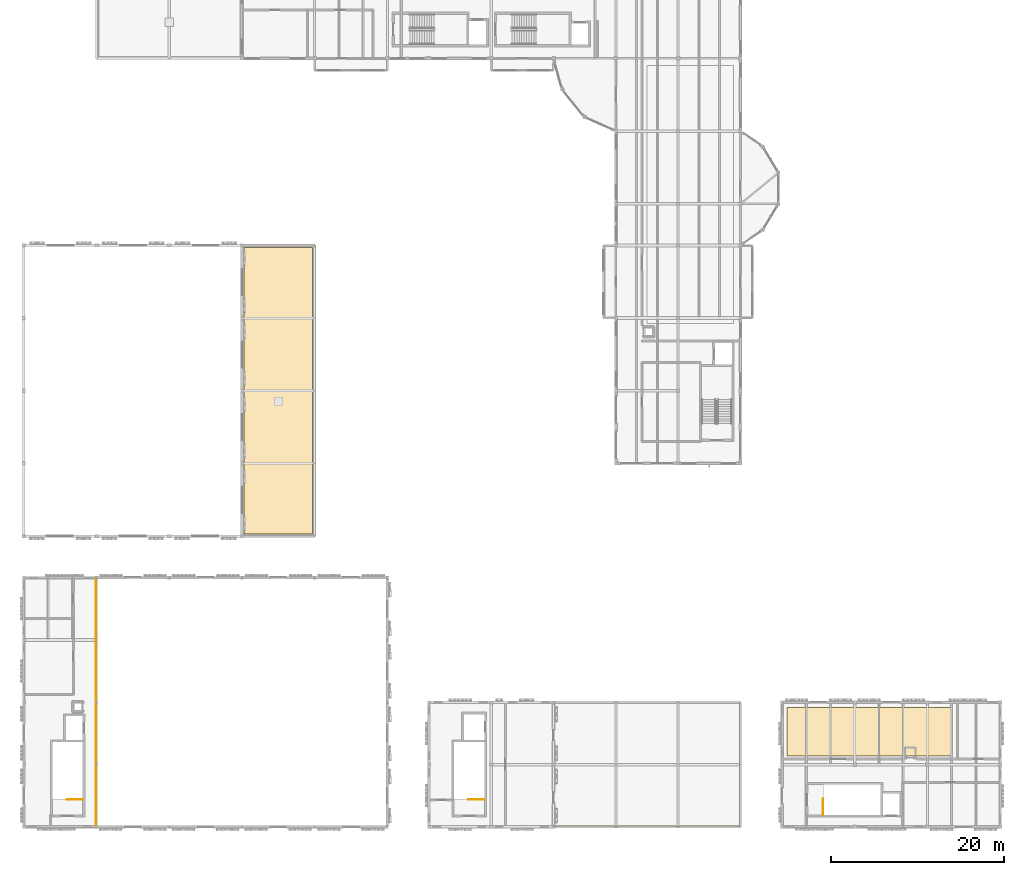
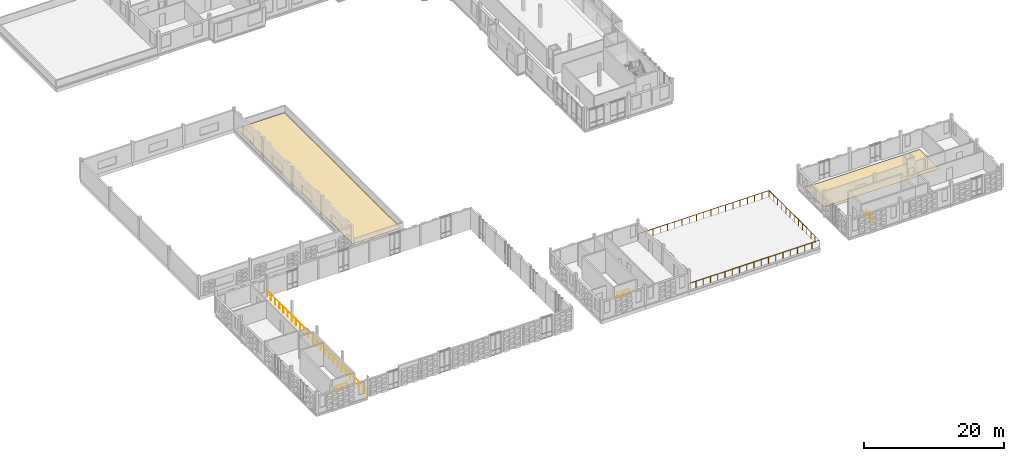
# One storey, part 53 of 57: 5 railings, 2 coverings.
"""IFC4 building model written with IfcOpenShell, lengths in metres."""

import ifcopenshell
import ifcopenshell.guid

model = None  # the IFC model being written
_history = None  # IfcOwnerHistory: only IFC2X3 demands one
_inside = {}  # id of a spatial element -> (the spatial element, [elements in it])
_under = {}  # id of a project, library or spatial element -> (it, [spatial elements below it])
_declared = {}  # id of a project -> (the project, [libraries it declares])
_typed = {}  # id of a type object -> (the type object, [elements of that type])
_made_of = {}  # id of a material, layer set ... -> (it, [elements and type objects made of it])


def new_model(schema):
    """Start an empty IFC model of exactly this schema.

    Asked for "IFC4X3", IfcOpenShell would pick the latest addendum, in which some entities
    have other attributes; the version numbers below select the first issue.
    IFC2X3 requires an IfcOwnerHistory on every rooted entity: one is made here for all.
    """
    global model, _history
    if schema == "IFC4X3":
        model = ifcopenshell.file(schema_version=(4, 3, 0, 0))
    else:
        model = ifcopenshell.file(schema=schema)
    _inside.clear()
    _under.clear()
    _declared.clear()
    _typed.clear()
    _made_of.clear()
    _history = None
    if model.schema == "IFC2X3":
        org = make("IfcOrganization", Name="unknown")
        user = make(
            "IfcPersonAndOrganization",
            ThePerson=make("IfcPerson", FamilyName="unknown"),
            TheOrganization=org,
        )
        app = make(
            "IfcApplication",
            ApplicationDeveloper=org,
            Version="unknown",
            ApplicationFullName="unknown",
            ApplicationIdentifier="unknown",
        )
        _history = make(
            "IfcOwnerHistory",
            OwningUser=user,
            OwningApplication=app,
            ChangeAction="ADDED",
            CreationDate=0,
        )
    return model


def make(cls, **values):
    """One entity of the class cls with the attributes given. An attribute that is None is left unset."""
    return model.create_entity(
        cls, **{name: value for name, value in values.items() if value is not None}
    )


def rooted(cls, **values):
    """An entity with a GlobalId (a new one), such as an element, a storey or a relation."""
    return make(cls, GlobalId=ifcopenshell.guid.new(), OwnerHistory=_history, **values)


def si_unit(unit_type, name, prefix=None):
    """IfcSIUnit, for example si_unit("LENGTHUNIT", "METRE", prefix="MILLI")."""
    return make("IfcSIUnit", UnitType=unit_type, Prefix=prefix, Name=name)


def assignment(units):
    """IfcUnitAssignment: the units of a project."""
    return None if units is None else make("IfcUnitAssignment", Units=units)


def point(xyz):
    """IfcCartesianPoint."""
    return None if xyz is None else make("IfcCartesianPoint", Coordinates=xyz)


def direction(xyz):
    """IfcDirection."""
    return None if xyz is None else make("IfcDirection", DirectionRatios=xyz)


def frame(location, z_axis=None, x_axis=None):
    """IfcAxis2Placement3D, a coordinate frame: its origin and axes. An axis left out is left unset."""
    return make(
        "IfcAxis2Placement3D",
        Location=point(location),
        Axis=direction(z_axis),
        RefDirection=direction(x_axis),
    )


def frame_2d(location, x_axis=None):
    """IfcAxis2Placement2D, a coordinate frame in the plane: its origin and x axis."""
    return make(
        "IfcAxis2Placement2D", Location=point(location), RefDirection=direction(x_axis)
    )


def origin():
    """The frame at (0, 0, 0) with its axes left unset."""
    return frame((0.0, 0.0, 0.0))


def origin_2d():
    """The frame at (0, 0) in the plane with its x axis left unset."""
    return frame_2d((0.0, 0.0))


def place(relative_to, where):
    """IfcLocalPlacement: puts the frame where relative to a parent placement (None: the world)."""
    return make(
        "IfcLocalPlacement", PlacementRelTo=relative_to, RelativePlacement=where
    )


def context(
    kind, dimensions, precision=None, world=None, true_north=None, identifier=None
):
    """IfcGeometricRepresentationContext, for example the 3D "Model" context."""
    return make(
        "IfcGeometricRepresentationContext",
        ContextIdentifier=identifier,
        ContextType=kind,
        CoordinateSpaceDimension=dimensions,
        Precision=precision,
        WorldCoordinateSystem=world,
        TrueNorth=true_north,
    )


def subcontext(parent, identifier, kind, view, scale=None):
    """IfcGeometricRepresentationSubContext, for example "Body" below "Model"."""
    return make(
        "IfcGeometricRepresentationSubContext",
        ContextIdentifier=identifier,
        ContextType=kind,
        ParentContext=parent,
        TargetScale=scale,
        TargetView=view,
    )


def project(units=None, contexts=None):
    """IfcProject with its units and contexts."""
    return rooted(
        "IfcProject",
        Name="project",
        RepresentationContexts=contexts,
        UnitsInContext=assignment(units),
    )


def spatial(cls, under=None, at=None, **own):
    """A site, building, storey or space (cls), placed at a placement, below another one or the project."""
    s = rooted(cls, ObjectPlacement=at, **own)
    if under is not None:
        _under.setdefault(under.id(), (under, []))[1].append(s)
    return s


def polyline(points):
    """IfcPolyline through the points."""
    return make("IfcPolyline", Points=[point(p) for p in points])


def profile(cls, at=None, kind="AREA", **sizes):
    """A parametric profile (cls). Its sizes go by their IFC names, for example OverallWidth=200.0."""
    return make(cls, ProfileType=kind, Position=at, **sizes)


def circle(**sizes):
    """IfcCircleProfileDef."""
    return profile("IfcCircleProfileDef", **sizes)


def outline(outer, holes=None, kind="AREA"):
    """IfcArbitraryClosedProfileDef: a profile drawn as a closed curve; with holes, ...WithVoids."""
    if holes is None:
        return make("IfcArbitraryClosedProfileDef", ProfileType=kind, OuterCurve=outer)
    return make(
        "IfcArbitraryProfileDefWithVoids",
        ProfileType=kind,
        OuterCurve=outer,
        InnerCurves=holes,
    )


def extrude(swept, where, along, depth):
    """IfcExtrudedAreaSolid: the profile swept, set in the frame where, extruded along a direction by depth."""
    return make(
        "IfcExtrudedAreaSolid",
        SweptArea=swept,
        Position=where,
        ExtrudedDirection=direction(along),
        Depth=depth,
    )


def shape(context_of_items, identifier, shape_type, items):
    """IfcShapeRepresentation: the items that make up one representation, for example the "Body"."""
    return make(
        "IfcShapeRepresentation",
        ContextOfItems=context_of_items,
        RepresentationIdentifier=identifier,
        RepresentationType=shape_type,
        Items=items,
    )


def material(Name=None, Category=None):
    """IfcMaterial."""
    return make("IfcMaterial", Name=Name, Category=Category)


def layer(
    of_material, thickness, ventilated=None, Name=None, Category=None, Priority=None
):
    """IfcMaterialLayer: one layer of a wall or slab, of a material (None: an air gap)."""
    return make(
        "IfcMaterialLayer",
        Material=of_material,
        LayerThickness=thickness,
        IsVentilated=ventilated,
        Name=Name,
        Category=Category,
        Priority=Priority,
    )


def layer_set(layers, Name=None):
    """IfcMaterialLayerSet."""
    return make("IfcMaterialLayerSet", MaterialLayers=layers, LayerSetName=Name)


def made_of(thing, what):
    """Note that an element or type object is made of a material, layer set ...; save() writes the relation."""
    if what is not None:
        _made_of.setdefault(what.id(), (what, []))[1].append(thing)
    return thing


def type_object(cls, material=None, **own):
    """A type object (cls), such as IfcWallType, which elements share."""
    return made_of(rooted(cls, **own), material)


def element(
    cls,
    number,
    at=None,
    inside=None,
    cuts=None,
    type_object=None,
    material=None,
    context=None,
    identifier="Body",
    shape_type=None,
    held_by="IfcProductDefinitionShape",
    body=None,
    shapes=None,
    **own,
):
    """One element of the class cls, such as IfcWall. Its Tag is "e" and its number.

    at: its placement. inside: the storey or other place that contains it. cuts: it is an
    opening in that element (IfcRelVoidsElement). A single representation is given by context,
    identifier, shape_type and body (its items); several are given by shapes. held_by: the class
    of the entity that holds the representations. save() writes the other relations.
    """
    e = rooted(cls, Tag="e%d" % number, ObjectPlacement=at, **own)
    if body is not None:
        shapes = [shape(context, identifier, shape_type, body)]
    if shapes is not None:
        e.Representation = make(held_by, Representations=shapes)
    if inside is not None:
        _inside.setdefault(inside.id(), (inside, []))[1].append(e)
    if cuts is not None:
        rooted(
            "IfcRelVoidsElement", RelatingBuildingElement=cuts, RelatedOpeningElement=e
        )
    if type_object is not None:
        _typed.setdefault(type_object.id(), (type_object, []))[1].append(e)
    return made_of(e, material)


def aggregate(whole, parts):
    """IfcRelAggregates: a whole, such as a stair, and the parts it consists of."""
    return rooted("IfcRelAggregates", RelatingObject=whole, RelatedObjects=parts)


def save(model, path):
    """Write the relations noted so far, then the file.

    IfcRelAggregates (storeys below a building ...), IfcRelContainedInSpatialStructure (elements
    in a storey), IfcRelDefinesByType, IfcRelAssociatesMaterial and IfcRelDeclares: one each for
    every whole, place, type object, material and project.
    """
    for whole, parts in _under.values():
        aggregate(whole, parts)
    for where, things in _inside.values():
        rooted(
            "IfcRelContainedInSpatialStructure",
            RelatedElements=things,
            RelatingStructure=where,
        )
    for kind, things in _typed.values():
        rooted("IfcRelDefinesByType", RelatedObjects=things, RelatingType=kind)
    for what, things in _made_of.values():
        rooted("IfcRelAssociatesMaterial", RelatedObjects=things, RelatingMaterial=what)
    for by, libraries in _declared.values():
        rooted("IfcRelDeclares", RelatingContext=by, RelatedDefinitions=libraries)
    model.write(path)


model = new_model("IFC4")

# Units and contexts
model_context = context("Model", 3, precision=1e-05, world=origin(), true_north=direction((0.0, 1.0)))
body_context = subcontext(model_context, "Body", "Model", "MODEL_VIEW")
ifc_project = project(units=[si_unit("LENGTHUNIT", "METRE"), si_unit("AREAUNIT", "SQUARE_METRE"), si_unit("VOLUMEUNIT", "CUBIC_METRE"), si_unit("PLANEANGLEUNIT", "RADIAN"), si_unit("MASSUNIT", "GRAM", prefix="KILO")], contexts=[model_context])

# Site, building, storey
site_placement = place(None, origin())
site = spatial("IfcSite", under=ifc_project, at=site_placement, CompositionType="ELEMENT")
building_placement = place(site_placement, origin())
building = spatial("IfcBuilding", under=site, at=building_placement, Name="Kahlenmark Community Centre", CompositionType="ELEMENT")
storey_placement = place(building_placement, frame((0.0, 0.0, 13.800048828125)))
storey = spatial("IfcBuildingStorey", under=building, at=storey_placement, Name="L03", CompositionType="ELEMENT", Elevation=13.800048828125)

# Coverings
ifc_material_1 = material(Name="Oiled European oak parquet flooring")
ifc_layer_1 = layer(ifc_material_1, 0.02490234375)
ifc_layer_set_1 = layer_set([ifc_layer_1], Name="Oiled European oak parquet flooring")
covering_type_1 = type_object("IfcCoveringType", Name="CVT-FLR-OAK", PredefinedType="FLOORING", material=ifc_layer_set_1)
covering_1_placement = place(storey_placement, origin())
element("IfcCovering", 1, at=covering_1_placement, inside=storey, type_object=covering_type_1, Name="European oak parquet flooring 05", PredefinedType="FLOORING", context=body_context, shape_type="SweptSolid", body=[
    extrude(outline(polyline([(92.199951171875, 17.0), (111.199951171875, 17.0), (111.199951171875, 22.60009765625), (92.199951171875, 22.60009765625), (92.199951171875, 17.0)])), origin(), (0.0, 0.0, 1.0), 0.02490234375),
])
ifc_material_2 = material(Name="EPDM waterproofing and gravel ballast")
ifc_layer_2 = layer(ifc_material_2, 0.0400390625)
ifc_layer_set_2 = layer_set([ifc_layer_2], Name="EPDM waterproofing and gravel ballast")
covering_type_2 = type_object("IfcCoveringType", Name="CVT-ROOF-EPDM", PredefinedType="ROOFING", material=ifc_layer_set_2)
covering_2_placement = place(storey_placement, origin())
element("IfcCovering", 2, at=covering_2_placement, inside=storey, type_object=covering_type_2, Name="Roof membrane 03", PredefinedType="ROOFING", context=body_context, shape_type="SweptSolid", body=[
    extrude(outline(polyline([(29.449951171875, 42.64990234375), (37.35009765625, 42.64990234375), (37.35009765625, 75.75), (29.449951171875, 75.75), (29.449951171875, 42.64990234375)])), origin(), (0.0, 0.0, 1.0), 0.0400390625),
])

# Railings
ifc_material_3 = material(Name="Powder-coated galvanized steel balustrade", Category="steel")
railing_type_1 = type_object("IfcRailingType", Name="RLT-BAL-1120", PredefinedType="BALUSTRADE", material=ifc_material_3)
railing_1_placement = place(storey_placement, frame((65.25, 8.85009765625, 0.0)))
element("IfcRailing", 3, at=railing_1_placement, inside=storey, type_object=railing_type_1, Name="Balustrade guard L03-012", PredefinedType="BALUSTRADE", context=body_context, shape_type="SweptSolid", body=[
    extrude(circle(Radius=0.02392578125, at=origin_2d()), frame((0.0, 0.0, 1.09619140625), z_axis=(1.0, 0.0, 0.0), x_axis=(0.0, 1.0, 0.0)), (0.0, 0.0, 1.0), 21.5),
    extrude(circle(Radius=0.02392578125, at=origin_2d()), frame((21.5, 0.0, 1.09619140625), z_axis=(0.0, 1.0, 0.0), x_axis=(-1.0, 0.0, 0.0)), (0.0, 0.0, 1.0), 14.2998046875),
    extrude(circle(Radius=0.02392578125, at=origin_2d()), frame((21.5, 14.2998046875, 1.09619140625), z_axis=(-1.0, 0.0, 0.0), x_axis=(0.0, -1.0, 0.0)), (0.0, 0.0, 1.0), 21.5),
    extrude(circle(Radius=0.02099609375, at=origin_2d()), origin(), (0.0, 0.0, 1.0), 1.072021484375),
    extrude(circle(Radius=0.02099609375, at=origin_2d()), frame((1.1943359375, 0.0, 0.0)), (0.0, 0.0, 1.0), 1.072021484375),
    extrude(circle(Radius=0.02099609375, at=origin_2d()), frame((2.388916015625, 0.0, 0.0)), (0.0, 0.0, 1.0), 1.072021484375),
    extrude(circle(Radius=0.02099609375, at=origin_2d()), frame((3.583251953125, 0.0, 0.0)), (0.0, 0.0, 1.0), 1.072021484375),
    extrude(circle(Radius=0.02099609375, at=origin_2d()), frame((4.77783203125, 0.0, 0.0)), (0.0, 0.0, 1.0), 1.072021484375),
    extrude(circle(Radius=0.02099609375, at=origin_2d()), frame((5.97216796875, 0.0, 0.0)), (0.0, 0.0, 1.0), 1.072021484375),
    extrude(circle(Radius=0.02099609375, at=origin_2d()), frame((7.166748046875, 0.0, 0.0)), (0.0, 0.0, 1.0), 1.072021484375),
    extrude(circle(Radius=0.02099609375, at=origin_2d()), frame((8.361083984375, 0.0, 0.0)), (0.0, 0.0, 1.0), 1.072021484375),
    extrude(circle(Radius=0.02099609375, at=origin_2d()), frame((9.5556640625, 0.0, 0.0)), (0.0, 0.0, 1.0), 1.072021484375),
    extrude(circle(Radius=0.02099609375, at=origin_2d()), frame((10.75, 0.0, 0.0)), (0.0, 0.0, 1.0), 1.072021484375),
    extrude(circle(Radius=0.02099609375, at=origin_2d()), frame((11.9443359375, 0.0, 0.0)), (0.0, 0.0, 1.0), 1.072021484375),
    extrude(circle(Radius=0.02099609375, at=origin_2d()), frame((13.138916015625, 0.0, 0.0)), (0.0, 0.0, 1.0), 1.072021484375),
    extrude(circle(Radius=0.02099609375, at=origin_2d()), frame((14.333251953125, 0.0, 0.0)), (0.0, 0.0, 1.0), 1.072021484375),
    extrude(circle(Radius=0.02099609375, at=origin_2d()), frame((15.52783203125, 0.0, 0.0)), (0.0, 0.0, 1.0), 1.072021484375),
    extrude(circle(Radius=0.02099609375, at=origin_2d()), frame((16.72216796875, 0.0, 0.0)), (0.0, 0.0, 1.0), 1.072021484375),
    extrude(circle(Radius=0.02099609375, at=origin_2d()), frame((17.916748046875, 0.0, 0.0)), (0.0, 0.0, 1.0), 1.072021484375),
    extrude(circle(Radius=0.02099609375, at=origin_2d()), frame((19.111083984375, 0.0, 0.0)), (0.0, 0.0, 1.0), 1.072021484375),
    extrude(circle(Radius=0.02099609375, at=origin_2d()), frame((20.3056640625, 0.0, 0.0)), (0.0, 0.0, 1.0), 1.072021484375),
    extrude(circle(Radius=0.02099609375, at=origin_2d()), frame((21.5, 0.0, 0.0)), (0.0, 0.0, 1.0), 1.072021484375),
    extrude(circle(Radius=0.02099609375, at=origin_2d()), frame((21.5, 1.191650390625, 0.0)), (0.0, 0.0, 1.0), 1.072021484375),
    extrude(circle(Radius=0.02099609375, at=origin_2d()), frame((21.5, 2.38330078125, 0.0)), (0.0, 0.0, 1.0), 1.072021484375),
    extrude(circle(Radius=0.02099609375, at=origin_2d()), frame((21.5, 3.574951171875, 0.0)), (0.0, 0.0, 1.0), 1.072021484375),
    extrude(circle(Radius=0.02099609375, at=origin_2d()), frame((21.5, 4.7666015625, 0.0)), (0.0, 0.0, 1.0), 1.072021484375),
    extrude(circle(Radius=0.02099609375, at=origin_2d()), frame((21.5, 5.958251953125, 0.0)), (0.0, 0.0, 1.0), 1.072021484375),
    extrude(circle(Radius=0.02099609375, at=origin_2d()), frame((21.5, 7.14990234375, 0.0)), (0.0, 0.0, 1.0), 1.072021484375),
    extrude(circle(Radius=0.02099609375, at=origin_2d()), frame((21.5, 8.341552734375, 0.0)), (0.0, 0.0, 1.0), 1.072021484375),
    extrude(circle(Radius=0.02099609375, at=origin_2d()), frame((21.5, 9.533203125, 0.0)), (0.0, 0.0, 1.0), 1.072021484375),
    extrude(circle(Radius=0.02099609375, at=origin_2d()), frame((21.5, 10.724853515625, 0.0)), (0.0, 0.0, 1.0), 1.072021484375),
    extrude(circle(Radius=0.02099609375, at=origin_2d()), frame((21.5, 11.91650390625, 0.0)), (0.0, 0.0, 1.0), 1.072021484375),
    extrude(circle(Radius=0.02099609375, at=origin_2d()), frame((21.5, 13.108154296875, 0.0)), (0.0, 0.0, 1.0), 1.072021484375),
    extrude(circle(Radius=0.02099609375, at=origin_2d()), frame((21.5, 14.2998046875, 0.0)), (0.0, 0.0, 1.0), 1.072021484375),
    extrude(circle(Radius=0.02099609375, at=origin_2d()), frame((20.3056640625, 14.2998046875, 0.0)), (0.0, 0.0, 1.0), 1.072021484375),
    extrude(circle(Radius=0.02099609375, at=origin_2d()), frame((19.111083984375, 14.2998046875, 0.0)), (0.0, 0.0, 1.0), 1.072021484375),
    extrude(circle(Radius=0.02099609375, at=origin_2d()), frame((17.916748046875, 14.2998046875, 0.0)), (0.0, 0.0, 1.0), 1.072021484375),
    extrude(circle(Radius=0.02099609375, at=origin_2d()), frame((16.72216796875, 14.2998046875, 0.0)), (0.0, 0.0, 1.0), 1.072021484375),
    extrude(circle(Radius=0.02099609375, at=origin_2d()), frame((15.52783203125, 14.2998046875, 0.0)), (0.0, 0.0, 1.0), 1.072021484375),
    extrude(circle(Radius=0.02099609375, at=origin_2d()), frame((14.333251953125, 14.2998046875, 0.0)), (0.0, 0.0, 1.0), 1.072021484375),
    extrude(circle(Radius=0.02099609375, at=origin_2d()), frame((13.138916015625, 14.2998046875, 0.0)), (0.0, 0.0, 1.0), 1.072021484375),
    extrude(circle(Radius=0.02099609375, at=origin_2d()), frame((11.9443359375, 14.2998046875, 0.0)), (0.0, 0.0, 1.0), 1.072021484375),
    extrude(circle(Radius=0.02099609375, at=origin_2d()), frame((10.75, 14.2998046875, 0.0)), (0.0, 0.0, 1.0), 1.072021484375),
    extrude(circle(Radius=0.02099609375, at=origin_2d()), frame((9.5556640625, 14.2998046875, 0.0)), (0.0, 0.0, 1.0), 1.072021484375),
    extrude(circle(Radius=0.02099609375, at=origin_2d()), frame((8.361083984375, 14.2998046875, 0.0)), (0.0, 0.0, 1.0), 1.072021484375),
    extrude(circle(Radius=0.02099609375, at=origin_2d()), frame((7.166748046875, 14.2998046875, 0.0)), (0.0, 0.0, 1.0), 1.072021484375),
    extrude(circle(Radius=0.02099609375, at=origin_2d()), frame((5.97216796875, 14.2998046875, 0.0)), (0.0, 0.0, 1.0), 1.072021484375),
    extrude(circle(Radius=0.02099609375, at=origin_2d()), frame((4.77783203125, 14.2998046875, 0.0)), (0.0, 0.0, 1.0), 1.072021484375),
    extrude(circle(Radius=0.02099609375, at=origin_2d()), frame((3.583251953125, 14.2998046875, 0.0)), (0.0, 0.0, 1.0), 1.072021484375),
    extrude(circle(Radius=0.02099609375, at=origin_2d()), frame((2.388916015625, 14.2998046875, 0.0)), (0.0, 0.0, 1.0), 1.072021484375),
    extrude(circle(Radius=0.02099609375, at=origin_2d()), frame((1.1943359375, 14.2998046875, 0.0)), (0.0, 0.0, 1.0), 1.072021484375),
    extrude(circle(Radius=0.02099609375, at=origin_2d()), frame((0.0, 14.2998046875, 0.0)), (0.0, 0.0, 1.0), 1.072021484375),
])
railing_2_placement = place(storey_placement, frame((12.35009765625, 8.949951171875, 0.0)))
element("IfcRailing", 4, at=railing_2_placement, inside=storey, type_object=railing_type_1, Name="Balustrade guard L03-014", PredefinedType="BALUSTRADE", context=body_context, shape_type="SweptSolid", body=[
    extrude(circle(Radius=0.02392578125, at=origin_2d()), frame((0.0, 0.0, 1.09619140625), z_axis=(0.0, 1.0, 0.0), x_axis=(-1.0, 0.0, 0.0)), (0.0, 0.0, 1.0), 28.5),
    extrude(circle(Radius=0.02099609375, at=origin_2d()), origin(), (0.0, 0.0, 1.0), 1.072021484375),
    extrude(circle(Radius=0.02099609375, at=origin_2d()), frame((0.0, 1.1875, 0.0)), (0.0, 0.0, 1.0), 1.072021484375),
    extrude(circle(Radius=0.02099609375, at=origin_2d()), frame((0.0, 2.375, 0.0)), (0.0, 0.0, 1.0), 1.072021484375),
    extrude(circle(Radius=0.02099609375, at=origin_2d()), frame((0.0, 3.5625, 0.0)), (0.0, 0.0, 1.0), 1.072021484375),
    extrude(circle(Radius=0.02099609375, at=origin_2d()), frame((0.0, 4.75, 0.0)), (0.0, 0.0, 1.0), 1.072021484375),
    extrude(circle(Radius=0.02099609375, at=origin_2d()), frame((0.0, 5.9375, 0.0)), (0.0, 0.0, 1.0), 1.072021484375),
    extrude(circle(Radius=0.02099609375, at=origin_2d()), frame((0.0, 7.125, 0.0)), (0.0, 0.0, 1.0), 1.072021484375),
    extrude(circle(Radius=0.02099609375, at=origin_2d()), frame((0.0, 8.3125, 0.0)), (0.0, 0.0, 1.0), 1.072021484375),
    extrude(circle(Radius=0.02099609375, at=origin_2d()), frame((0.0, 9.5, 0.0)), (0.0, 0.0, 1.0), 1.072021484375),
    extrude(circle(Radius=0.02099609375, at=origin_2d()), frame((0.0, 10.6875, 0.0)), (0.0, 0.0, 1.0), 1.072021484375),
    extrude(circle(Radius=0.02099609375, at=origin_2d()), frame((0.0, 11.875, 0.0)), (0.0, 0.0, 1.0), 1.072021484375),
    extrude(circle(Radius=0.02099609375, at=origin_2d()), frame((0.0, 13.0625, 0.0)), (0.0, 0.0, 1.0), 1.072021484375),
    extrude(circle(Radius=0.02099609375, at=origin_2d()), frame((0.0, 14.25, 0.0)), (0.0, 0.0, 1.0), 1.072021484375),
    extrude(circle(Radius=0.02099609375, at=origin_2d()), frame((0.0, 15.4375, 0.0)), (0.0, 0.0, 1.0), 1.072021484375),
    extrude(circle(Radius=0.02099609375, at=origin_2d()), frame((0.0, 16.625, 0.0)), (0.0, 0.0, 1.0), 1.072021484375),
    extrude(circle(Radius=0.02099609375, at=origin_2d()), frame((0.0, 17.8125, 0.0)), (0.0, 0.0, 1.0), 1.072021484375),
    extrude(circle(Radius=0.02099609375, at=origin_2d()), frame((0.0, 19.0, 0.0)), (0.0, 0.0, 1.0), 1.072021484375),
    extrude(circle(Radius=0.02099609375, at=origin_2d()), frame((0.0, 20.1875, 0.0)), (0.0, 0.0, 1.0), 1.072021484375),
    extrude(circle(Radius=0.02099609375, at=origin_2d()), frame((0.0, 21.375, 0.0)), (0.0, 0.0, 1.0), 1.072021484375),
    extrude(circle(Radius=0.02099609375, at=origin_2d()), frame((0.0, 22.5625, 0.0)), (0.0, 0.0, 1.0), 1.072021484375),
    extrude(circle(Radius=0.02099609375, at=origin_2d()), frame((0.0, 23.75, 0.0)), (0.0, 0.0, 1.0), 1.072021484375),
    extrude(circle(Radius=0.02099609375, at=origin_2d()), frame((0.0, 24.9375, 0.0)), (0.0, 0.0, 1.0), 1.072021484375),
    extrude(circle(Radius=0.02099609375, at=origin_2d()), frame((0.0, 26.125, 0.0)), (0.0, 0.0, 1.0), 1.072021484375),
    extrude(circle(Radius=0.02099609375, at=origin_2d()), frame((0.0, 27.3125, 0.0)), (0.0, 0.0, 1.0), 1.072021484375),
    extrude(circle(Radius=0.02099609375, at=origin_2d()), frame((0.0, 28.5, 0.0)), (0.0, 0.0, 1.0), 1.072021484375),
])
ifc_material_4 = material(Name="Powder-coated steel stair well guard", Category="steel")
railing_type_2 = type_object("IfcRailingType", Name="RLT-SG-1120", PredefinedType="GUARDRAIL", material=ifc_material_4)
railing_3_placement = place(storey_placement, frame((10.800048828125, 11.949951171875, 0.0)))
element("IfcRailing", 5, at=railing_3_placement, inside=storey, type_object=railing_type_2, Name="L03 ST-01 top well guard 1", PredefinedType="GUARDRAIL", context=body_context, shape_type="SweptSolid", body=[
    extrude(circle(Radius=0.02392578125, at=origin_2d()), frame((0.0, 0.0, 1.076171875), z_axis=(-1.0, 0.0, 0.0), x_axis=(0.0, -1.0, 0.0)), (0.0, 0.0, 1.0), 1.85009765625),
    extrude(circle(Radius=0.02099609375, at=origin_2d()), origin(), (0.0, 0.0, 1.0), 1.052001953125),
    extrude(circle(Radius=0.02099609375, at=origin_2d()), frame((-0.925048828125, 0.0, 0.0)), (0.0, 0.0, 1.0), 1.052001953125),
    extrude(circle(Radius=0.02099609375, at=origin_2d()), frame((-1.85009765625, 0.0, 0.0)), (0.0, 0.0, 1.0), 1.052001953125),
])
railing_4_placement = place(storey_placement, frame((57.199951171875, 11.949951171875, 0.0)))
element("IfcRailing", 6, at=railing_4_placement, inside=storey, type_object=railing_type_2, Name="L03 ST-03 top well guard 1", PredefinedType="GUARDRAIL", context=body_context, shape_type="SweptSolid", body=[
    extrude(circle(Radius=0.02392578125, at=origin_2d()), frame((0.0, 0.0, 1.076171875), z_axis=(-1.0, 0.0, 0.0), x_axis=(0.0, -1.0, 0.0)), (0.0, 0.0, 1.0), 1.849853515625),
    extrude(circle(Radius=0.02099609375, at=origin_2d()), origin(), (0.0, 0.0, 1.0), 1.052001953125),
    extrude(circle(Radius=0.02099609375, at=origin_2d()), frame((-0.9248046875, 0.0, 0.0)), (0.0, 0.0, 1.0), 1.052001953125),
    extrude(circle(Radius=0.02099609375, at=origin_2d()), frame((-1.849853515625, 0.0, 0.0)), (0.0, 0.0, 1.0), 1.052001953125),
])
railing_5_placement = place(storey_placement, frame((96.35009765625, 10.199951171875, 0.0)))
element("IfcRailing", 7, at=railing_5_placement, inside=storey, type_object=railing_type_2, Name="L03 ST-07 top well guard 1", PredefinedType="GUARDRAIL", context=body_context, shape_type="SweptSolid", body=[
    extrude(circle(Radius=0.02392578125, at=origin_2d()), frame((0.0, 0.0, 1.076171875), z_axis=(0.0, 1.0, 0.0), x_axis=(-1.0, 0.0, 0.0)), (0.0, 0.0, 1.0), 1.85009765625),
    extrude(circle(Radius=0.02099609375, at=origin_2d()), origin(), (0.0, 0.0, 1.0), 1.052001953125),
    extrude(circle(Radius=0.02099609375, at=origin_2d()), frame((0.0, 0.925048828125, 0.0)), (0.0, 0.0, 1.0), 1.052001953125),
    extrude(circle(Radius=0.02099609375, at=origin_2d()), frame((0.0, 1.85009765625, 0.0)), (0.0, 0.0, 1.0), 1.052001953125),
])

save(model, "model.ifc")
